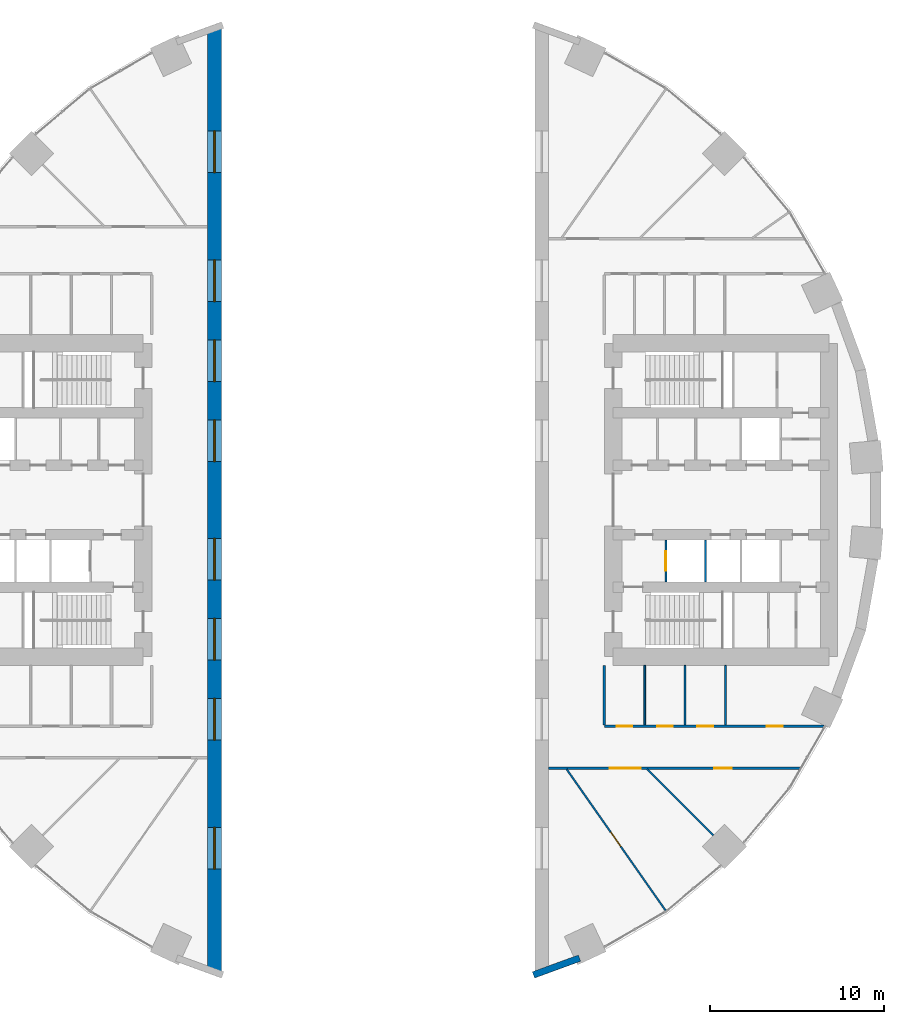
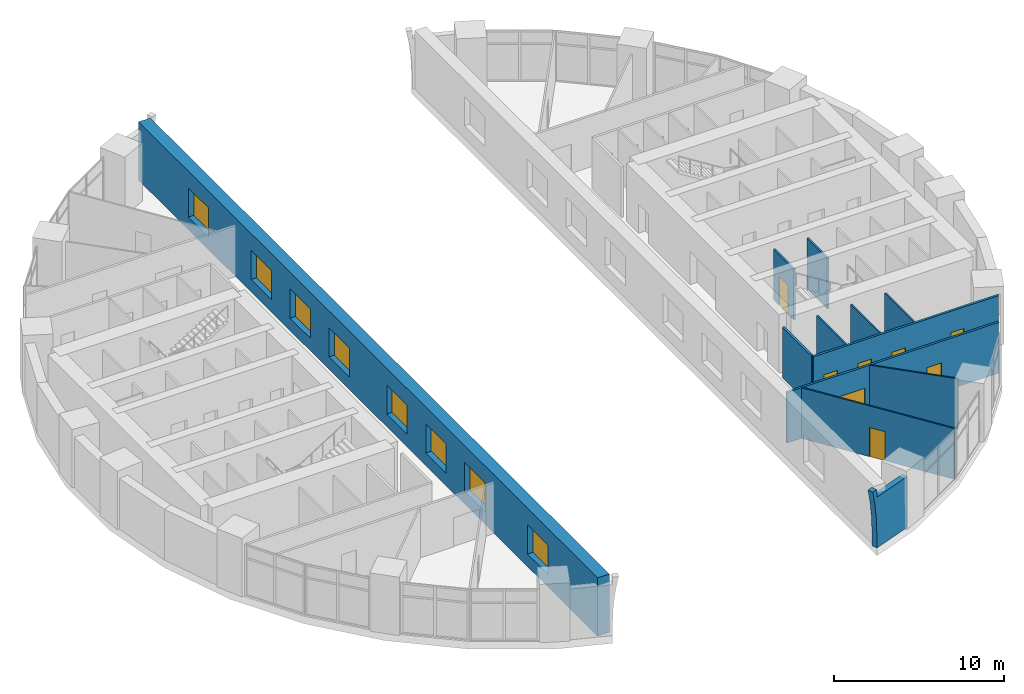
# One storey, part 9 of 13: 12 walls, 8 doors, 8 windows, 16 openings.
"""IFC4 building model written with IfcOpenShell, lengths in metres."""

from ifc_helpers import new_model, si_unit, direction, frame, frame_2d, origin, place, context, subcontext, project, spatial, polyline, rectangle, outline, extrude, material, layer, layer_set, type_object, element, fill, save


model = new_model("IFC4")

# Units and contexts
model_context = context("Model", 3, precision=1e-05, world=origin(), true_north=direction((0.0, 1.0)))
body_context = subcontext(model_context, "Body", "Model", "MODEL_VIEW")
ifc_project = project(units=[si_unit("LENGTHUNIT", "METRE"), si_unit("AREAUNIT", "SQUARE_METRE"), si_unit("VOLUMEUNIT", "CUBIC_METRE"), si_unit("PLANEANGLEUNIT", "RADIAN"), si_unit("MASSUNIT", "GRAM", prefix="KILO")], contexts=[model_context])

# Site, building, storey
site_placement = place(None, origin())
site = spatial("IfcSite", under=ifc_project, at=site_placement, CompositionType="ELEMENT")
building_placement = place(site_placement, origin())
building = spatial("IfcBuilding", under=site, at=building_placement, Name="Saqina Gate Tower", CompositionType="ELEMENT")
storey_placement = place(building_placement, frame((0.0, 0.0, 5.0)))
storey = spatial("IfcBuildingStorey", under=building, at=storey_placement, Name="L01", CompositionType="ELEMENT", Elevation=5.0)

# Wall
ifc_material_1 = material(Name="Glazed ceramic tile", Category="ceramic")
ifc_layer_1 = layer(ifc_material_1, 0.3798828125)
ifc_layer_set_1 = layer_set([ifc_layer_1], Name="FW-ARCH")
wall_type_1 = type_object("IfcWallType", Name="FW-ARCH", PredefinedType="SOLIDWALL", material=ifc_layer_set_1)
wall_1_placement = place(storey_placement, frame((11.63720703125, -26.49755859375, 0.0), z_axis=(0.341981019293, -0.939704755181, 0.001988852104), x_axis=(-0.939706613726, -0.341981695593, 3.2622e-08)))
element("IfcWall", 1, at=wall_1_placement, inside=storey, type_object=wall_type_1, Name="Arch frame wall L01 facet 29", PredefinedType="SOLIDWALL", context=body_context, shape_type="SweptSolid", body=[
    extrude(outline(polyline([(0.0, 0.0), (2.8100358124776417, 0.0), (2.810139665404947, -1.0000017143707367), (2.851939254311865, -2.0981484908125445), (2.976838450721379, -3.1906802491788175), (3.1707162720531046, -4.199959504944626), (2.8101172642099947, -4.199959459046005), (2.8099923716461217, -3.649909561554975), (-4.344083151981224e-05, -3.649909561554975), (0.0, 0.0)])), origin(), (0.0, 0.0, -1.0), 0.3798828125),
])

# Wall, opening, door
ifc_material_2 = material(Name="Autoclaved aerated concrete block", Category="concrete")
ifc_layer_2 = layer(ifc_material_2, 0.1201171875)
ifc_layer_set_2 = layer_set([ifc_layer_2], Name="SHAFT PARTITION")
wall_type_2 = type_object("IfcWallType", Name="SHAFT PARTITION", PredefinedType="PARTITIONING", material=ifc_layer_set_2)
wall_2_placement = place(storey_placement, frame((16.530029296875, -4.699951171875, 0.0), z_axis=(0.0, 0.0, 1.0), x_axis=(0.0, 1.0, 0.0)))
wall_2 = element("IfcWall", 2, at=wall_2_placement, inside=storey, type_object=wall_type_2, Name="L01-CP-E05", PredefinedType="PARTITIONING", context=body_context, shape_type="SweptSolid", body=[
    extrude(rectangle(XDim=2.39990234375, YDim=0.1201171875, at=frame_2d((1.199951171875, 0.0))), origin(), (0.0, 0.0, 1.0), 3.64990234375),
])
opening_1_placement = place(wall_2_placement, frame((0.64990234375, 0.0, 0.0)))
opening_1 = element("IfcOpeningElement", 3, at=opening_1_placement, cuts=wall_2, Name="Opening L01-LD2", PredefinedType="OPENING", context=body_context, shape_type="SweptSolid", body=[
    extrude(rectangle(XDim=1.10009765625, YDim=2.10009765625, at=frame_2d((0.550048828125, 1.050048828125))), frame((0.0, 0.072021484375, 0.0), z_axis=(0.0, -1.0, 0.0), x_axis=(1.0, 0.0, 0.0)), (0.0, 0.0, 1.0), 0.14404296875),
])
ifc_material_3 = material(Name="Stainless steel", Category="steel")
door_type_1 = type_object("IfcDoorType", Name="LANDING DOOR", OperationType="DOUBLE_DOOR_SLIDING", PredefinedType="DOOR", material=ifc_material_3)
door_1_placement = place(opening_1_placement, origin())
door_1 = element("IfcDoor", 4, at=door_1_placement, inside=storey, type_object=door_type_1, Name="LANDING DOOR FF1", OperationType="DOUBLE_DOOR_SLIDING", OverallHeight=2.10009765625, OverallWidth=1.10009765625, PredefinedType="DOOR", context=body_context, shape_type="SweptSolid", body=[
    extrude(rectangle(XDim=1.10009765625, YDim=2.10009765625, at=frame_2d((0.550048828125, 1.050048828125))), frame((0.0, 0.02490234375, 0.0), z_axis=(0.0, -1.0, 0.0), x_axis=(1.0, 0.0, 0.0)), (0.0, 0.0, 1.0), 0.050048828125),
])
fill(opening_1, door_1)

# Wall
wall_3_placement = place(storey_placement, frame((18.81005859375, -4.699951171875, 0.0), z_axis=(0.0, 0.0, 1.0), x_axis=(0.0, 1.0, 0.0)))
element("IfcWall", 5, at=wall_3_placement, inside=storey, type_object=wall_type_2, Name="L01-CP-E06", PredefinedType="PARTITIONING", context=body_context, shape_type="SweptSolid", body=[
    extrude(rectangle(XDim=2.39990234375, YDim=0.1201171875, at=frame_2d((1.199951171875, 0.0))), origin(), (0.0, 0.0, 1.0), 3.64990234375),
])

# Wall, opening, door
ifc_material_4 = material(Name="Gypsum board on steel studs, 100 mm", Category="steel")
ifc_layer_3 = layer(ifc_material_4, 0.10009765625)
ifc_layer_set_3 = layer_set([ifc_layer_3], Name="SPECIAL PARTITION 100")
wall_type_3 = type_object("IfcWallType", Name="SPECIAL PARTITION 100", PredefinedType="PARTITIONING", material=ifc_layer_set_3)
wall_4_placement = place(storey_placement, frame((10.825927734375, -15.46142578125, 0.0), z_axis=(0.0, 0.0, 1.0), x_axis=(0.573622474099, -0.819119806383, 0.0)))
wall_4 = element("IfcWall", 6, at=wall_4_placement, inside=storey, type_object=wall_type_3, Name="PARTITION 002", PredefinedType="PARTITIONING", context=body_context, shape_type="SweptSolid", body=[
    extrude(rectangle(XDim=9.9248046875, YDim=0.10009765625, at=frame_2d((4.96240234375, 0.0))), origin(), (0.0, 0.0, 1.0), 3.64990234375),
])
opening_2_placement = place(wall_4_placement, frame((4.4248046875, 0.0, 0.0)))
opening_2 = element("IfcOpeningElement", 7, at=opening_2_placement, cuts=wall_4, Name="Opening L01-D23", PredefinedType="OPENING", context=body_context, shape_type="SweptSolid", body=[
    extrude(rectangle(XDim=1.0, YDim=2.10009765625, at=frame_2d((0.5, 1.050048828125))), frame((0.0, 0.06201171875, 0.0), z_axis=(0.0, -1.0, 0.0), x_axis=(1.0, 0.0, 0.0)), (0.0, 0.0, 1.0), 0.1240234375),
])
ifc_material_5 = material(Name="Timber door leaf", Category="wood")
door_type_2 = type_object("IfcDoorType", Name="SPECIAL DOOR 1000 TIMBER", OperationType="SINGLE_SWING_LEFT", PredefinedType="DOOR", material=ifc_material_5)
door_2_placement = place(opening_2_placement, frame((1.0, 0.0, 0.0), z_axis=(0.0, 0.0, 1.0), x_axis=(-1.0, 0.0, 0.0)))
door_2 = element("IfcDoor", 8, at=door_2_placement, inside=storey, type_object=door_type_2, Name="DOOR L01-D23", OperationType="SINGLE_SWING_RIGHT", OverallHeight=2.10009765625, OverallWidth=1.0, PredefinedType="DOOR", context=body_context, shape_type="SweptSolid", body=[
    extrude(rectangle(XDim=1.0, YDim=2.10009765625, at=frame_2d((0.5, 1.050048828125))), frame((0.0, 0.02490234375, 0.0), z_axis=(0.0, -1.0, 0.0), x_axis=(1.0, 0.0, 0.0)), (0.0, 0.0, 1.0), 0.050048828125),
])
fill(opening_2, door_2)

# Walls
wall_5_placement = place(storey_placement, frame((15.452880859375, -15.452880859375, 0.0), z_axis=(0.0, 0.0, 1.0), x_axis=(0.707220086868, -0.706993457346, 0.0)))
element("IfcWall", 9, at=wall_5_placement, inside=storey, type_object=wall_type_3, Name="PARTITION 004", PredefinedType="PARTITIONING", context=body_context, shape_type="SweptSolid", body=[
    extrude(rectangle(XDim=5.38623046875, YDim=0.10009765625, at=frame_2d((2.693115234375, 0.0))), origin(), (0.0, 0.0, 1.0), 3.64990234375),
])
for number, where, z_axis, x_axis, name in (
    (10, (19.949951171875, -12.925048828125, 0.0), (0.0, 0.0, 1.0), (0.0, 1.0, 0.0), "PARTITION 019"),
    (11, (17.633056640625, -12.925048828125, 0.0), (0.0, 0.0, 1.0), (0.0, 1.0, 0.0), "PARTITION 022"),
    (12, (15.31689453125, -12.925048828125, 0.0), (0.0, 0.0, 1.0), (0.0, 1.0, 0.0), "PARTITION 024"),
):
    element("IfcWall", number, at=place(storey_placement, frame(where, z_axis=z_axis, x_axis=x_axis)), inside=storey, type_object=wall_type_3, Name=name, PredefinedType="PARTITIONING", context=body_context, shape_type="SweptSolid", body=[
        extrude(rectangle(XDim=3.425048828125, YDim=0.10009765625, at=frame_2d((1.71240234375, 0.0))), origin(), (0.0, 0.0, 1.0), 3.64990234375),
    ])

# Wall, openings, doors
ifc_material_6 = material(Name="Gypsum board on steel studs, 150 mm, fire rated", Category="steel")
ifc_layer_4 = layer(ifc_material_6, 0.14990234375)
ifc_layer_set_4 = layer_set([ifc_layer_4], Name="SPECIAL PARTITION EI 30 150")
wall_type_4 = type_object("IfcWallType", Name="SPECIAL PARTITION EI 30 150", PredefinedType="PARTITIONING", material=ifc_layer_set_4)
wall_6_placement = place(storey_placement, frame((9.800048828125, -15.39990234375, 0.0), z_axis=(0.0, 0.0, 1.0), x_axis=(1.0, 0.0, 0.0)))
wall_6 = element("IfcWall", 13, at=wall_6_placement, inside=storey, type_object=wall_type_4, Name="PARTITION 006", PredefinedType="PARTITIONING", context=body_context, shape_type="SweptSolid", body=[
    extrude(rectangle(XDim=14.43701171875, YDim=0.14990234375, at=frame_2d((7.218505859375, 0.0))), origin(), (0.0, 0.0, 1.0), 3.64990234375),
])
opening_3_placement = place(wall_6_placement, frame((3.498046875, 0.0, 0.0)))
opening_3 = element("IfcOpeningElement", 14, at=opening_3_placement, cuts=wall_6, Name="Opening L01-D24", PredefinedType="OPENING", context=body_context, shape_type="SweptSolid", body=[
    extrude(rectangle(XDim=1.800048828125, YDim=2.10009765625, at=frame_2d((0.89990234375, 1.050048828125))), frame((0.0, 0.0869140625, 0.0), z_axis=(0.0, -1.0, 0.0), x_axis=(1.0, 0.0, 0.0)), (0.0, 0.0, 1.0), 0.173828125),
])
opening_4_placement = place(wall_6_placement, frame((9.51953125, 0.0, 0.0)))
opening_4 = element("IfcOpeningElement", 15, at=opening_4_placement, cuts=wall_6, Name="Opening L01-D27", PredefinedType="OPENING", context=body_context, shape_type="SweptSolid", body=[
    extrude(rectangle(XDim=1.0, YDim=2.10009765625, at=frame_2d((0.5, 1.050048828125))), frame((0.0, 0.0869140625, 0.0), z_axis=(0.0, -1.0, 0.0), x_axis=(1.0, 0.0, 0.0)), (0.0, 0.0, 1.0), 0.173828125),
])
ifc_material_7 = material(Name="Steel-framed fire door leaf, EI 30", Category="steel")
door_type_3 = type_object("IfcDoorType", Name="SPECIAL DOOR 1000 FIRE EI 30", OperationType="SINGLE_SWING_LEFT", PredefinedType="DOOR", material=ifc_material_7)
door_3_placement = place(opening_4_placement, frame((1.0, 0.0, 0.0), z_axis=(0.0, 0.0, 1.0), x_axis=(-1.0, 0.0, 0.0)))
door_3 = element("IfcDoor", 16, at=door_3_placement, inside=storey, type_object=door_type_3, Name="DOOR L01-D27", OperationType="SINGLE_SWING_LEFT", OverallHeight=2.10009765625, OverallWidth=1.0, PredefinedType="DOOR", context=body_context, shape_type="SweptSolid", body=[
    extrude(rectangle(XDim=1.0, YDim=2.10009765625, at=frame_2d((0.5, 1.050048828125))), frame((0.0, 0.02490234375, 0.0), z_axis=(0.0, -1.0, 0.0), x_axis=(1.0, 0.0, 0.0)), (0.0, 0.0, 1.0), 0.050048828125),
])
fill(opening_4, door_3)
ifc_material_8 = material(Name="Steel-framed fire door leaf, EI 30", Category="steel")
door_type_4 = type_object("IfcDoorType", Name="SPECIAL DOUBLE DOOR 1800 FIRE EI 30", OperationType="DOUBLE_DOOR_SINGLE_SWING", PredefinedType="DOOR", material=ifc_material_8)
door_4_placement = place(opening_3_placement, frame((1.800048828125, 0.0, 0.0), z_axis=(0.0, 0.0, 1.0), x_axis=(-1.0, 0.0, 0.0)))
door_4 = element("IfcDoor", 17, at=door_4_placement, inside=storey, type_object=door_type_4, Name="DOOR L01-D24", OperationType="DOUBLE_DOOR_SINGLE_SWING", OverallHeight=2.10009765625, OverallWidth=1.800048828125, PredefinedType="DOOR", context=body_context, shape_type="SweptSolid", body=[
    extrude(rectangle(XDim=1.800048828125, YDim=2.10009765625, at=frame_2d((0.89990234375, 1.050048828125))), frame((0.0, 0.02490234375, 0.0), z_axis=(0.0, -1.0, 0.0), x_axis=(1.0, 0.0, 0.0)), (0.0, 0.0, 1.0), 0.050048828125),
])
fill(opening_3, door_4)

wall_7_placement = place(storey_placement, frame((13.0, -13.0, 0.0), z_axis=(0.0, 0.0, 1.0), x_axis=(1.0, 0.0, 0.0)))
wall_7 = element("IfcWall", 18, at=wall_7_placement, inside=storey, type_object=wall_type_4, Name="PARTITION 009", PredefinedType="PARTITIONING", context=body_context, shape_type="SweptSolid", body=[
    extrude(rectangle(XDim=12.6220703125, YDim=0.14990234375, at=frame_2d((6.31103515625, 0.0))), origin(), (0.0, 0.0, 1.0), 3.64990234375),
])
opening_5_placement = place(wall_7_placement, frame((0.70849609375, 0.0, 0.0)))
opening_5 = element("IfcOpeningElement", 19, at=opening_5_placement, cuts=wall_7, Name="Opening L01-D25", PredefinedType="OPENING", context=body_context, shape_type="SweptSolid", body=[
    extrude(rectangle(XDim=0.89990234375, YDim=2.10009765625, at=frame_2d((0.449951171875, 1.050048828125))), frame((0.0, 0.0869140625, 0.0), z_axis=(0.0, -1.0, 0.0), x_axis=(1.0, 0.0, 0.0)), (0.0, 0.0, 1.0), 0.173828125),
])
opening_6_placement = place(wall_7_placement, frame((3.02490234375, 0.0, 0.0)))
opening_6 = element("IfcOpeningElement", 20, at=opening_6_placement, cuts=wall_7, Name="Opening L01-D26", PredefinedType="OPENING", context=body_context, shape_type="SweptSolid", body=[
    extrude(rectangle(XDim=0.89990234375, YDim=2.10009765625, at=frame_2d((0.449951171875, 1.050048828125))), frame((0.0, 0.0869140625, 0.0), z_axis=(0.0, -1.0, 0.0), x_axis=(1.0, 0.0, 0.0)), (0.0, 0.0, 1.0), 0.173828125),
])
opening_7_placement = place(wall_7_placement, frame((5.341552734375, 0.0, 0.0)))
opening_7 = element("IfcOpeningElement", 21, at=opening_7_placement, cuts=wall_7, Name="Opening L01-D28", PredefinedType="OPENING", context=body_context, shape_type="SweptSolid", body=[
    extrude(rectangle(XDim=0.89990234375, YDim=2.10009765625, at=frame_2d((0.449951171875, 1.050048828125))), frame((0.0, 0.0869140625, 0.0), z_axis=(0.0, -1.0, 0.0), x_axis=(1.0, 0.0, 0.0)), (0.0, 0.0, 1.0), 0.173828125),
])
opening_8_placement = place(wall_7_placement, frame((9.3359375, 0.0, 0.0)))
opening_8 = element("IfcOpeningElement", 22, at=opening_8_placement, cuts=wall_7, Name="Opening L01-D29", PredefinedType="OPENING", context=body_context, shape_type="SweptSolid", body=[
    extrude(rectangle(XDim=0.89990234375, YDim=2.10009765625, at=frame_2d((0.449951171875, 1.050048828125))), frame((0.0, 0.0869140625, 0.0), z_axis=(0.0, -1.0, 0.0), x_axis=(1.0, 0.0, 0.0)), (0.0, 0.0, 1.0), 0.173828125),
])
ifc_material_9 = material(Name="Steel-framed fire door leaf, EI 30", Category="steel")
door_type_5 = type_object("IfcDoorType", Name="SPECIAL DOOR 900 FIRE EI 30", OperationType="SINGLE_SWING_LEFT", PredefinedType="DOOR", material=ifc_material_9)
door_5_placement = place(opening_5_placement, origin())
door_5 = element("IfcDoor", 23, at=door_5_placement, inside=storey, type_object=door_type_5, Name="DOOR L01-D25", OperationType="SINGLE_SWING_LEFT", OverallHeight=2.10009765625, OverallWidth=0.89990234375, PredefinedType="DOOR", context=body_context, shape_type="SweptSolid", body=[
    extrude(rectangle(XDim=0.89990234375, YDim=2.10009765625, at=frame_2d((0.449951171875, 1.050048828125))), frame((0.0, 0.02490234375, 0.0), z_axis=(0.0, -1.0, 0.0), x_axis=(1.0, 0.0, 0.0)), (0.0, 0.0, 1.0), 0.050048828125),
])
fill(opening_5, door_5)
door_6_placement = place(opening_6_placement, origin())
door_6 = element("IfcDoor", 24, at=door_6_placement, inside=storey, type_object=door_type_5, Name="DOOR L01-D26", OperationType="SINGLE_SWING_LEFT", OverallHeight=2.10009765625, OverallWidth=0.89990234375, PredefinedType="DOOR", context=body_context, shape_type="SweptSolid", body=[
    extrude(rectangle(XDim=0.89990234375, YDim=2.10009765625, at=frame_2d((0.449951171875, 1.050048828125))), frame((0.0, 0.02490234375, 0.0), z_axis=(0.0, -1.0, 0.0), x_axis=(1.0, 0.0, 0.0)), (0.0, 0.0, 1.0), 0.050048828125),
])
fill(opening_6, door_6)
door_7_placement = place(opening_7_placement, origin())
door_7 = element("IfcDoor", 25, at=door_7_placement, inside=storey, type_object=door_type_5, Name="DOOR L01-D28", OperationType="SINGLE_SWING_LEFT", OverallHeight=2.10009765625, OverallWidth=0.89990234375, PredefinedType="DOOR", context=body_context, shape_type="SweptSolid", body=[
    extrude(rectangle(XDim=0.89990234375, YDim=2.10009765625, at=frame_2d((0.449951171875, 1.050048828125))), frame((0.0, 0.02490234375, 0.0), z_axis=(0.0, -1.0, 0.0), x_axis=(1.0, 0.0, 0.0)), (0.0, 0.0, 1.0), 0.050048828125),
])
fill(opening_7, door_7)
door_8_placement = place(opening_8_placement, origin())
door_8 = element("IfcDoor", 26, at=door_8_placement, inside=storey, type_object=door_type_5, Name="DOOR L01-D29", OperationType="SINGLE_SWING_RIGHT", OverallHeight=2.10009765625, OverallWidth=0.89990234375, PredefinedType="DOOR", context=body_context, shape_type="SweptSolid", body=[
    extrude(rectangle(XDim=0.89990234375, YDim=2.10009765625, at=frame_2d((0.449951171875, 1.050048828125))), frame((0.0, 0.02490234375, 0.0), z_axis=(0.0, -1.0, 0.0), x_axis=(1.0, 0.0, 0.0)), (0.0, 0.0, 1.0), 0.050048828125),
])
fill(opening_8, door_8)

# Wall
wall_8_placement = place(storey_placement, frame((13.0, -12.925048828125, 0.0), z_axis=(0.0, 0.0, 1.0), x_axis=(0.0, 1.0, 0.0)))
element("IfcWall", 27, at=wall_8_placement, inside=storey, type_object=wall_type_4, Name="PARTITION 026", PredefinedType="PARTITIONING", context=body_context, shape_type="SweptSolid", body=[
    extrude(rectangle(XDim=3.425048828125, YDim=0.14990234375, at=frame_2d((1.71240234375, 0.0))), origin(), (0.0, 0.0, 1.0), 3.64990234375),
])

# Wall, openings, windows
ifc_material_10 = material(Name="Concrete C70/85", Category="concrete")
ifc_layer_5 = layer(ifc_material_10, 0.800048828125)
ifc_layer_set_5 = layer_set([ifc_layer_5], Name="Concrete C70/85")
wall_type_5 = type_object("IfcWallType", Name="STR-PIER-PASSAGE", PredefinedType="SHEAR", material=ifc_layer_set_5)
wall_9_placement = place(storey_placement, frame((-9.39990234375, -27.076904296875, 0.0), z_axis=(0.0, 0.0, 1.0), x_axis=(0.0, 1.0, 0.0)))
wall_9 = element("IfcWall", 28, at=wall_9_placement, inside=storey, type_object=wall_type_5, Name="L01-FLKW", PredefinedType="SHEAR", context=body_context, shape_type="SweptSolid", body=[
    extrude(rectangle(XDim=54.15380859375, YDim=0.800048828125, at=frame_2d((27.076904296875, 0.0))), origin(), (0.0, 0.0, 1.0), 4.199951171875),
])
opening_9_placement = place(wall_9_placement, frame((13.27685546875, 0.0, 0.89990234375)))
opening_9 = element("IfcOpeningElement", 29, at=opening_9_placement, cuts=wall_9, Name="Opening L01-W58", PredefinedType="OPENING", context=body_context, shape_type="SweptSolid", body=[
    extrude(rectangle(XDim=2.39990234375, YDim=2.10009765625, at=frame_2d((1.199951171875, 1.050048828125))), frame((0.0, 0.412109375, 0.0), z_axis=(0.0, -1.0, 0.0), x_axis=(1.0, 0.0, 0.0)), (0.0, 0.0, 1.0), 0.823974609375),
])
opening_10_placement = place(wall_9_placement, frame((17.876708984375, 0.0, 0.89990234375)))
opening_10 = element("IfcOpeningElement", 30, at=opening_10_placement, cuts=wall_9, Name="Opening L01-W59", PredefinedType="OPENING", context=body_context, shape_type="SweptSolid", body=[
    extrude(rectangle(XDim=2.39990234375, YDim=2.10009765625, at=frame_2d((1.199951171875, 1.050048828125))), frame((0.0, 0.412109375, 0.0), z_axis=(0.0, -1.0, 0.0), x_axis=(1.0, 0.0, 0.0)), (0.0, 0.0, 1.0), 0.823974609375),
])
opening_11_placement = place(wall_9_placement, frame((22.476806640625, 0.0, 0.89990234375)))
opening_11 = element("IfcOpeningElement", 31, at=opening_11_placement, cuts=wall_9, Name="Opening L01-W60", PredefinedType="OPENING", context=body_context, shape_type="SweptSolid", body=[
    extrude(rectangle(XDim=2.39990234375, YDim=2.10009765625, at=frame_2d((1.199951171875, 1.050048828125))), frame((0.0, 0.412109375, 0.0), z_axis=(0.0, -1.0, 0.0), x_axis=(1.0, 0.0, 0.0)), (0.0, 0.0, 1.0), 0.823974609375),
])
opening_12_placement = place(wall_9_placement, frame((29.27685546875, 0.0, 0.89990234375)))
opening_12 = element("IfcOpeningElement", 32, at=opening_12_placement, cuts=wall_9, Name="Opening L01-W61", PredefinedType="OPENING", context=body_context, shape_type="SweptSolid", body=[
    extrude(rectangle(XDim=2.39990234375, YDim=2.10009765625, at=frame_2d((1.199951171875, 1.050048828125))), frame((0.0, 0.412109375, 0.0), z_axis=(0.0, -1.0, 0.0), x_axis=(1.0, 0.0, 0.0)), (0.0, 0.0, 1.0), 0.823974609375),
])
opening_13_placement = place(wall_9_placement, frame((33.876708984375, 0.0, 0.89990234375)))
opening_13 = element("IfcOpeningElement", 33, at=opening_13_placement, cuts=wall_9, Name="Opening L01-W62", PredefinedType="OPENING", context=body_context, shape_type="SweptSolid", body=[
    extrude(rectangle(XDim=2.39990234375, YDim=2.10009765625, at=frame_2d((1.199951171875, 1.050048828125))), frame((0.0, 0.412109375, 0.0), z_axis=(0.0, -1.0, 0.0), x_axis=(1.0, 0.0, 0.0)), (0.0, 0.0, 1.0), 0.823974609375),
])
opening_14_placement = place(wall_9_placement, frame((38.476806640625, 0.0, 0.89990234375)))
opening_14 = element("IfcOpeningElement", 34, at=opening_14_placement, cuts=wall_9, Name="Opening L01-W63", PredefinedType="OPENING", context=body_context, shape_type="SweptSolid", body=[
    extrude(rectangle(XDim=2.39990234375, YDim=2.10009765625, at=frame_2d((1.199951171875, 1.050048828125))), frame((0.0, 0.412109375, 0.0), z_axis=(0.0, -1.0, 0.0), x_axis=(1.0, 0.0, 0.0)), (0.0, 0.0, 1.0), 0.823974609375),
])
opening_15_placement = place(wall_9_placement, frame((5.876708984375, 0.0, 0.89990234375)))
opening_15 = element("IfcOpeningElement", 35, at=opening_15_placement, cuts=wall_9, Name="Opening L01-W64", PredefinedType="OPENING", context=body_context, shape_type="SweptSolid", body=[
    extrude(rectangle(XDim=2.39990234375, YDim=2.10009765625, at=frame_2d((1.199951171875, 1.050048828125))), frame((0.0, 0.412109375, 0.0), z_axis=(0.0, -1.0, 0.0), x_axis=(1.0, 0.0, 0.0)), (0.0, 0.0, 1.0), 0.823974609375),
])
opening_16_placement = place(wall_9_placement, frame((45.876708984375, 0.0, 0.89990234375)))
opening_16 = element("IfcOpeningElement", 36, at=opening_16_placement, cuts=wall_9, Name="Opening L01-W65", PredefinedType="OPENING", context=body_context, shape_type="SweptSolid", body=[
    extrude(rectangle(XDim=2.39990234375, YDim=2.10009765625, at=frame_2d((1.199951171875, 1.050048828125))), frame((0.0, 0.412109375, 0.0), z_axis=(0.0, -1.0, 0.0), x_axis=(1.0, 0.0, 0.0)), (0.0, 0.0, 1.0), 0.823974609375),
])
ifc_material_11 = material(Name="Double glazed unit in aluminium frame", Category="aluminium")
window_type = type_object("IfcWindowType", Name="AMENITY WINDOW 2400", PartitioningType="SINGLE_PANEL", PredefinedType="WINDOW", material=ifc_material_11)
window_1_placement = place(opening_9_placement, origin())
window_1 = element("IfcWindow", 37, at=window_1_placement, inside=storey, type_object=window_type, Name="Amenity window", OverallHeight=2.10009765625, OverallWidth=2.39990234375, PartitioningType="SINGLE_PANEL", PredefinedType="WINDOW", context=body_context, shape_type="SweptSolid", body=[
    extrude(rectangle(XDim=2.39990234375, YDim=2.10009765625, at=frame_2d((1.199951171875, 1.050048828125))), frame((0.0, 0.030029296875, 0.0), z_axis=(0.0, -1.0, 0.0), x_axis=(1.0, 0.0, 0.0)), (0.0, 0.0, 1.0), 0.06005859375),
])
fill(opening_9, window_1)
window_2_placement = place(opening_10_placement, origin())
window_2 = element("IfcWindow", 38, at=window_2_placement, inside=storey, type_object=window_type, Name="Amenity window", OverallHeight=2.10009765625, OverallWidth=2.39990234375, PartitioningType="SINGLE_PANEL", PredefinedType="WINDOW", context=body_context, shape_type="SweptSolid", body=[
    extrude(rectangle(XDim=2.39990234375, YDim=2.10009765625, at=frame_2d((1.199951171875, 1.050048828125))), frame((0.0, 0.030029296875, 0.0), z_axis=(0.0, -1.0, 0.0), x_axis=(1.0, 0.0, 0.0)), (0.0, 0.0, 1.0), 0.06005859375),
])
fill(opening_10, window_2)
window_3_placement = place(opening_11_placement, origin())
window_3 = element("IfcWindow", 39, at=window_3_placement, inside=storey, type_object=window_type, Name="Amenity window", OverallHeight=2.10009765625, OverallWidth=2.39990234375, PartitioningType="SINGLE_PANEL", PredefinedType="WINDOW", context=body_context, shape_type="SweptSolid", body=[
    extrude(rectangle(XDim=2.39990234375, YDim=2.10009765625, at=frame_2d((1.199951171875, 1.050048828125))), frame((0.0, 0.030029296875, 0.0), z_axis=(0.0, -1.0, 0.0), x_axis=(1.0, 0.0, 0.0)), (0.0, 0.0, 1.0), 0.06005859375),
])
fill(opening_11, window_3)
window_4_placement = place(opening_12_placement, origin())
window_4 = element("IfcWindow", 40, at=window_4_placement, inside=storey, type_object=window_type, Name="Amenity window", OverallHeight=2.10009765625, OverallWidth=2.39990234375, PartitioningType="SINGLE_PANEL", PredefinedType="WINDOW", context=body_context, shape_type="SweptSolid", body=[
    extrude(rectangle(XDim=2.39990234375, YDim=2.10009765625, at=frame_2d((1.199951171875, 1.050048828125))), frame((0.0, 0.030029296875, 0.0), z_axis=(0.0, -1.0, 0.0), x_axis=(1.0, 0.0, 0.0)), (0.0, 0.0, 1.0), 0.06005859375),
])
fill(opening_12, window_4)
window_5_placement = place(opening_13_placement, origin())
window_5 = element("IfcWindow", 41, at=window_5_placement, inside=storey, type_object=window_type, Name="Amenity window", OverallHeight=2.10009765625, OverallWidth=2.39990234375, PartitioningType="SINGLE_PANEL", PredefinedType="WINDOW", context=body_context, shape_type="SweptSolid", body=[
    extrude(rectangle(XDim=2.39990234375, YDim=2.10009765625, at=frame_2d((1.199951171875, 1.050048828125))), frame((0.0, 0.030029296875, 0.0), z_axis=(0.0, -1.0, 0.0), x_axis=(1.0, 0.0, 0.0)), (0.0, 0.0, 1.0), 0.06005859375),
])
fill(opening_13, window_5)
window_6_placement = place(opening_14_placement, origin())
window_6 = element("IfcWindow", 42, at=window_6_placement, inside=storey, type_object=window_type, Name="Amenity window", OverallHeight=2.10009765625, OverallWidth=2.39990234375, PartitioningType="SINGLE_PANEL", PredefinedType="WINDOW", context=body_context, shape_type="SweptSolid", body=[
    extrude(rectangle(XDim=2.39990234375, YDim=2.10009765625, at=frame_2d((1.199951171875, 1.050048828125))), frame((0.0, 0.030029296875, 0.0), z_axis=(0.0, -1.0, 0.0), x_axis=(1.0, 0.0, 0.0)), (0.0, 0.0, 1.0), 0.06005859375),
])
fill(opening_14, window_6)
window_7_placement = place(opening_15_placement, origin())
window_7 = element("IfcWindow", 43, at=window_7_placement, inside=storey, type_object=window_type, Name="Amenity window", OverallHeight=2.10009765625, OverallWidth=2.39990234375, PartitioningType="SINGLE_PANEL", PredefinedType="WINDOW", context=body_context, shape_type="SweptSolid", body=[
    extrude(rectangle(XDim=2.39990234375, YDim=2.10009765625, at=frame_2d((1.199951171875, 1.050048828125))), frame((0.0, 0.030029296875, 0.0), z_axis=(0.0, -1.0, 0.0), x_axis=(1.0, 0.0, 0.0)), (0.0, 0.0, 1.0), 0.06005859375),
])
fill(opening_15, window_7)
window_8_placement = place(opening_16_placement, origin())
window_8 = element("IfcWindow", 44, at=window_8_placement, inside=storey, type_object=window_type, Name="Amenity window", OverallHeight=2.10009765625, OverallWidth=2.39990234375, PartitioningType="SINGLE_PANEL", PredefinedType="WINDOW", context=body_context, shape_type="SweptSolid", body=[
    extrude(rectangle(XDim=2.39990234375, YDim=2.10009765625, at=frame_2d((1.199951171875, 1.050048828125))), frame((0.0, 0.030029296875, 0.0), z_axis=(0.0, -1.0, 0.0), x_axis=(1.0, 0.0, 0.0)), (0.0, 0.0, 1.0), 0.06005859375),
])
fill(opening_16, window_8)

save(model, "model.ifc")
